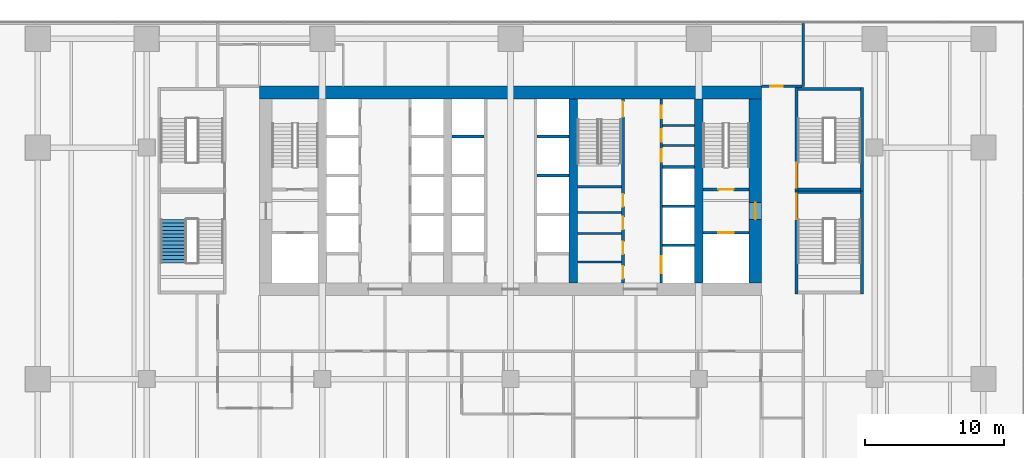
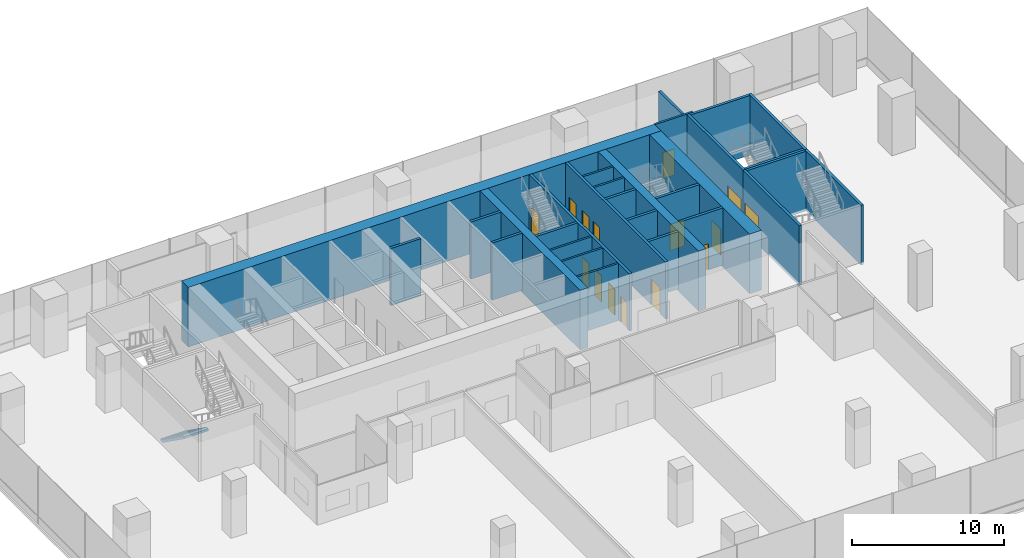
# One storey, part 21 of 28: 29 walls, 15 doors, 1 stair flight, 15 openings, 1 element without a shape of its own.
"""IFC4 building model written with IfcOpenShell, lengths in metres."""

from ifc_helpers import new_model, si_unit, direction, frame, frame_2d, origin, place, context, subcontext, project, spatial, polyline, rectangle, outline, extrude, material, layer, layer_set, type_object, element, fill, aggregate, save


model = new_model("IFC4")

# Units and contexts
model_context = context("Model", 3, precision=1e-05, world=origin(), true_north=direction((0.0, 1.0)))
body_context = subcontext(model_context, "Body", "Model", "MODEL_VIEW")
ifc_project = project(units=[si_unit("LENGTHUNIT", "METRE"), si_unit("AREAUNIT", "SQUARE_METRE"), si_unit("VOLUMEUNIT", "CUBIC_METRE"), si_unit("PLANEANGLEUNIT", "RADIAN"), si_unit("MASSUNIT", "GRAM", prefix="KILO")], contexts=[model_context])

# Site, building, storey
site_placement = place(None, origin())
site = spatial("IfcSite", under=ifc_project, at=site_placement, CompositionType="ELEMENT")
building_placement = place(site_placement, origin())
building = spatial("IfcBuilding", under=site, at=building_placement, Name="Rattan Terrace Tower", CompositionType="ELEMENT")
storey_placement = place(building_placement, frame((0.0, 0.0, 22.199951171875)))
storey = spatial("IfcBuildingStorey", under=building, at=storey_placement, Name="L04", CompositionType="ELEMENT", Elevation=22.199951171875)

# Walls
ifc_material_1 = material(Name="Gypsum board partition")
ifc_layer_1 = layer(ifc_material_1, 0.14990234375)
ifc_layer_set_1 = layer_set([ifc_layer_1], Name="Core partition 150")
wall_type_1 = type_object("IfcWallType", Name="Core partition 150", PredefinedType="PARTITIONING", material=ifc_layer_set_1)
for number, where, z_axis, x_axis, name in (
    (1, (4.800048828125, -5.10400390625, 0.0), (0.0, 0.0, 1.0), (1.0, 0.0, 0.0), "Toilet wall"),
    (2, (4.800048828125, -3.06396484375, 0.0), (0.0, 0.0, 1.0), (1.0, 0.0, 0.0), "Toilet wall"),
    (3, (4.800048828125, -1.568115234375, 0.0), (0.0, 0.0, 1.0), (1.0, 0.0, 0.0), "Toilet wall"),
):
    element("IfcWall", number, at=place(storey_placement, frame(where, z_axis=z_axis, x_axis=x_axis)), inside=storey, type_object=wall_type_1, Name=name, PredefinedType="PARTITIONING", context=body_context, shape_type="SweptSolid", body=[
        extrude(rectangle(XDim=3.14990234375, YDim=0.14990234375, at=frame_2d((1.574951171875, 0.0))), origin(), (0.0, 0.0, 1.0), 4.60009765625),
    ])
for number, where, z_axis, x_axis, name in (
    (4, (10.89990234375, 3.239990234375, 0.0), (0.0, 0.0, 1.0), (1.0, 0.0, 0.0), "Riser room wall"),
    (5, (10.89990234375, 4.679931640625, 0.0), (0.0, 0.0, 1.0), (1.0, 0.0, 0.0), "Riser room wall"),
):
    element("IfcWall", number, at=place(storey_placement, frame(where, z_axis=z_axis, x_axis=x_axis)), inside=storey, type_object=wall_type_1, Name=name, PredefinedType="PARTITIONING", context=body_context, shape_type="SweptSolid", body=[
        extrude(rectangle(XDim=2.300048828125, YDim=0.14990234375, at=frame_2d((1.14990234375, 0.0))), origin(), (0.0, 0.0, 1.0), 4.60009765625),
    ])

# Wall, opening, door
ifc_material_2 = material(Name="Gypsum board partition")
ifc_layer_2 = layer(ifc_material_2, 0.199951171875)
ifc_layer_set_2 = layer_set([ifc_layer_2], Name="Core partition 200")
wall_type_2 = type_object("IfcWallType", Name="Core partition 200", PredefinedType="PARTITIONING", material=ifc_layer_set_2)
wall_1_placement = place(storey_placement, frame((13.800048828125, -3.0, 0.0), z_axis=(0.0, 0.0, 1.0), x_axis=(1.0, 0.0, 0.0)))
wall_1 = element("IfcWall", 6, at=wall_1_placement, inside=storey, type_object=wall_type_2, Name="Fire-fighting lobby wall", PredefinedType="PARTITIONING", context=body_context, shape_type="SweptSolid", body=[
    extrude(rectangle(XDim=3.300048828125, YDim=0.199951171875, at=frame_2d((1.64990234375, 0.0))), origin(), (0.0, 0.0, 1.0), 4.60009765625),
])
opening_1_placement = place(wall_1_placement, frame((1.10009765625, 0.0, 0.0)))
opening_1 = element("IfcOpeningElement", 7, at=opening_1_placement, cuts=wall_1, Name="Opening L04-LD-FF2", PredefinedType="OPENING", context=body_context, shape_type="SweptSolid", body=[
    extrude(rectangle(XDim=1.10009765625, YDim=2.10009765625, at=frame_2d((0.550048828125, 1.050048828125))), frame((0.0, 0.110595703125, 0.0), z_axis=(0.0, -1.0, 0.0), x_axis=(1.0, 0.0, 0.0)), (0.0, 0.0, 1.0), 0.220947265625),
])
ifc_material_3 = material(Name="Brushed stainless landing door panel")
door_type_1 = type_object("IfcDoorType", Name="Core lift landing door 1100", OperationType="DOUBLE_DOOR_SLIDING", PredefinedType="DOOR", material=ifc_material_3)
door_1_placement = place(opening_1_placement, origin())
door_1 = element("IfcDoor", 8, at=door_1_placement, inside=storey, type_object=door_type_1, Name="Door L04-LD-FF2", OperationType="DOUBLE_DOOR_SLIDING", OverallHeight=2.10009765625, OverallWidth=1.10009765625, PredefinedType="DOOR", context=body_context, shape_type="SweptSolid", body=[
    extrude(rectangle(XDim=1.10009765625, YDim=2.10009765625, at=frame_2d((0.550048828125, 1.050048828125))), frame((0.0, 0.02490234375, 0.0), z_axis=(0.0, -1.0, 0.0), x_axis=(1.0, 0.0, 0.0)), (0.0, 0.0, 1.0), 0.050048828125),
])
fill(opening_1, door_1)

wall_2_placement = place(storey_placement, frame((13.800048828125, 0.10009765625, 0.0), z_axis=(0.0, 0.0, 1.0), x_axis=(1.0, 0.0, 0.0)))
wall_2 = element("IfcWall", 9, at=wall_2_placement, inside=storey, type_object=wall_type_2, Name="Stair enclosure wall", PredefinedType="PARTITIONING", context=body_context, shape_type="SweptSolid", body=[
    extrude(rectangle(XDim=3.300048828125, YDim=0.199951171875, at=frame_2d((1.64990234375, 0.0))), origin(), (0.0, 0.0, 1.0), 4.60009765625),
])
opening_2_placement = place(wall_2_placement, frame((1.10009765625, 0.0, 0.0)))
opening_2 = element("IfcOpeningElement", 10, at=opening_2_placement, cuts=wall_2, Name="Opening L04-D004", PredefinedType="OPENING", context=body_context, shape_type="SweptSolid", body=[
    extrude(rectangle(XDim=1.10009765625, YDim=2.10009765625, at=frame_2d((0.550048828125, 1.050048828125))), frame((0.0, 0.110595703125, 0.0), z_axis=(0.0, -1.0, 0.0), x_axis=(1.0, 0.0, 0.0)), (0.0, 0.0, 1.0), 0.220947265625),
])
ifc_material_4 = material(Name="Hollow-metal fire door leaf")
door_type_2 = type_object("IfcDoorType", Name="Core stair door 1100", OperationType="NOTDEFINED", PredefinedType="DOOR", material=ifc_material_4)
door_2_placement = place(opening_2_placement, origin())
door_2 = element("IfcDoor", 11, at=door_2_placement, inside=storey, type_object=door_type_2, Name="Door L04-D004", OperationType="SINGLE_SWING_LEFT", OverallHeight=2.10009765625, OverallWidth=1.10009765625, PredefinedType="DOOR", context=body_context, shape_type="SweptSolid", body=[
    extrude(rectangle(XDim=1.10009765625, YDim=2.10009765625, at=frame_2d((0.550048828125, 1.050048828125))), frame((0.0, 0.02490234375, 0.0), z_axis=(0.0, -1.0, 0.0), x_axis=(1.0, 0.0, 0.0)), (0.0, 0.0, 1.0), 0.050048828125),
])
fill(opening_2, door_2)

# Wall, openings, doors
wall_3_placement = place(storey_placement, frame((8.050048828125, -6.60009765625, 0.0), z_axis=(0.0, 0.0, 1.0), x_axis=(0.0, 1.0, 0.0)))
wall_3 = element("IfcWall", 12, at=wall_3_placement, inside=storey, type_object=wall_type_2, Name="Lobby wall west", PredefinedType="PARTITIONING", context=body_context, shape_type="SweptSolid", body=[
    extrude(rectangle(XDim=13.2001953125, YDim=0.199951171875, at=frame_2d((6.60009765625, 0.0))), origin(), (0.0, 0.0, 1.0), 4.60009765625),
])
opening_3_placement = place(wall_3_placement, frame((0.298095703125, 0.0, 0.0)))
opening_3 = element("IfcOpeningElement", 13, at=opening_3_placement, cuts=wall_3, Name="Opening L04-D011", PredefinedType="OPENING", context=body_context, shape_type="SweptSolid", body=[
    extrude(rectangle(XDim=0.89990234375, YDim=2.10009765625, at=frame_2d((0.449951171875, 1.050048828125))), frame((0.0, 0.110595703125, 0.0), z_axis=(0.0, -1.0, 0.0), x_axis=(1.0, 0.0, 0.0)), (0.0, 0.0, 1.0), 0.220947265625),
])
opening_4_placement = place(wall_3_placement, frame((2.06591796875, 0.0, 0.0)))
opening_4 = element("IfcOpeningElement", 14, at=opening_4_placement, cuts=wall_3, Name="Opening L04-D012", PredefinedType="OPENING", context=body_context, shape_type="SweptSolid", body=[
    extrude(rectangle(XDim=0.89990234375, YDim=2.10009765625, at=frame_2d((0.449951171875, 1.050048828125))), frame((0.0, 0.110595703125, 0.0), z_axis=(0.0, -1.0, 0.0), x_axis=(1.0, 0.0, 0.0)), (0.0, 0.0, 1.0), 0.220947265625),
])
opening_5_placement = place(wall_3_placement, frame((3.833984375, 0.0, 0.0)))
opening_5 = element("IfcOpeningElement", 15, at=opening_5_placement, cuts=wall_3, Name="Opening L04-D013", PredefinedType="OPENING", context=body_context, shape_type="SweptSolid", body=[
    extrude(rectangle(XDim=0.89990234375, YDim=2.10009765625, at=frame_2d((0.449951171875, 1.050048828125))), frame((0.0, 0.110595703125, 0.0), z_axis=(0.0, -1.0, 0.0), x_axis=(1.0, 0.0, 0.0)), (0.0, 0.0, 1.0), 0.220947265625),
])
opening_6_placement = place(wall_3_placement, frame((5.466064453125, 0.0, 0.0)))
opening_6 = element("IfcOpeningElement", 16, at=opening_6_placement, cuts=wall_3, Name="Opening L04-D014", PredefinedType="OPENING", context=body_context, shape_type="SweptSolid", body=[
    extrude(rectangle(XDim=0.89990234375, YDim=2.10009765625, at=frame_2d((0.449951171875, 1.050048828125))), frame((0.0, 0.110595703125, 0.0), z_axis=(0.0, -1.0, 0.0), x_axis=(1.0, 0.0, 0.0)), (0.0, 0.0, 1.0), 0.220947265625),
])
opening_7_placement = place(wall_3_placement, frame((11.89990234375, 0.0, 0.0)))
opening_7 = element("IfcOpeningElement", 17, at=opening_7_placement, cuts=wall_3, Name="Opening L04-D015", PredefinedType="OPENING", context=body_context, shape_type="SweptSolid", body=[
    extrude(rectangle(XDim=1.10009765625, YDim=2.10009765625, at=frame_2d((0.550048828125, 1.050048828125))), frame((0.0, 0.110595703125, 0.0), z_axis=(0.0, -1.0, 0.0), x_axis=(1.0, 0.0, 0.0)), (0.0, 0.0, 1.0), 0.220947265625),
])
ifc_material_5 = material(Name="Hollow-metal fire door leaf")
door_type_3 = type_object("IfcDoorType", Name="Core service room door 900", OperationType="NOTDEFINED", PredefinedType="DOOR", material=ifc_material_5)
door_3_placement = place(opening_6_placement, origin())
door_3 = element("IfcDoor", 18, at=door_3_placement, inside=storey, type_object=door_type_3, Name="Door L04-D014", OperationType="SINGLE_SWING_RIGHT", OverallHeight=2.10009765625, OverallWidth=0.89990234375, PredefinedType="DOOR", context=body_context, shape_type="SweptSolid", body=[
    extrude(rectangle(XDim=0.89990234375, YDim=2.10009765625, at=frame_2d((0.449951171875, 1.050048828125))), frame((0.0, 0.02490234375, 0.0), z_axis=(0.0, -1.0, 0.0), x_axis=(1.0, 0.0, 0.0)), (0.0, 0.0, 1.0), 0.050048828125),
])
fill(opening_6, door_3)
door_4_placement = place(opening_7_placement, origin())
door_4 = element("IfcDoor", 19, at=door_4_placement, inside=storey, type_object=door_type_2, Name="Door L04-D015", OperationType="SINGLE_SWING_LEFT", OverallHeight=2.10009765625, OverallWidth=1.10009765625, PredefinedType="DOOR", context=body_context, shape_type="SweptSolid", body=[
    extrude(rectangle(XDim=1.10009765625, YDim=2.10009765625, at=frame_2d((0.550048828125, 1.050048828125))), frame((0.0, 0.02490234375, 0.0), z_axis=(0.0, -1.0, 0.0), x_axis=(1.0, 0.0, 0.0)), (0.0, 0.0, 1.0), 0.050048828125),
])
fill(opening_7, door_4)
ifc_material_6 = material(Name="Hollow-metal fire door leaf")
door_type_4 = type_object("IfcDoorType", Name="Core toilet door 900", OperationType="NOTDEFINED", PredefinedType="DOOR", material=ifc_material_6)
door_5_placement = place(opening_3_placement, origin())
door_5 = element("IfcDoor", 20, at=door_5_placement, inside=storey, type_object=door_type_4, Name="Door L04-D011", OperationType="SINGLE_SWING_LEFT", OverallHeight=2.10009765625, OverallWidth=0.89990234375, PredefinedType="DOOR", context=body_context, shape_type="SweptSolid", body=[
    extrude(rectangle(XDim=0.89990234375, YDim=2.10009765625, at=frame_2d((0.449951171875, 1.050048828125))), frame((0.0, 0.02490234375, 0.0), z_axis=(0.0, -1.0, 0.0), x_axis=(1.0, 0.0, 0.0)), (0.0, 0.0, 1.0), 0.050048828125),
])
fill(opening_3, door_5)
door_6_placement = place(opening_4_placement, origin())
door_6 = element("IfcDoor", 21, at=door_6_placement, inside=storey, type_object=door_type_4, Name="Door L04-D012", OperationType="SINGLE_SWING_RIGHT", OverallHeight=2.10009765625, OverallWidth=0.89990234375, PredefinedType="DOOR", context=body_context, shape_type="SweptSolid", body=[
    extrude(rectangle(XDim=0.89990234375, YDim=2.10009765625, at=frame_2d((0.449951171875, 1.050048828125))), frame((0.0, 0.02490234375, 0.0), z_axis=(0.0, -1.0, 0.0), x_axis=(1.0, 0.0, 0.0)), (0.0, 0.0, 1.0), 0.050048828125),
])
fill(opening_4, door_6)
door_7_placement = place(opening_5_placement, origin())
door_7 = element("IfcDoor", 22, at=door_7_placement, inside=storey, type_object=door_type_4, Name="Door L04-D013", OperationType="SINGLE_SWING_LEFT", OverallHeight=2.10009765625, OverallWidth=0.89990234375, PredefinedType="DOOR", context=body_context, shape_type="SweptSolid", body=[
    extrude(rectangle(XDim=0.89990234375, YDim=2.10009765625, at=frame_2d((0.449951171875, 1.050048828125))), frame((0.0, 0.02490234375, 0.0), z_axis=(0.0, -1.0, 0.0), x_axis=(1.0, 0.0, 0.0)), (0.0, 0.0, 1.0), 0.050048828125),
])
fill(opening_5, door_7)

# Walls
wall_4_placement = place(storey_placement, frame((4.800048828125, 0.300048828125, 0.0), z_axis=(0.0, 0.0, 1.0), x_axis=(1.0, 0.0, 0.0)))
element("IfcWall", 23, at=wall_4_placement, inside=storey, type_object=wall_type_2, Name="Stair enclosure wall", PredefinedType="PARTITIONING", context=body_context, shape_type="SweptSolid", body=[
    extrude(rectangle(XDim=3.14990234375, YDim=0.199951171875, at=frame_2d((1.574951171875, 0.0))), origin(), (0.0, 0.0, 1.0), 4.60009765625),
])
ifc_material_7 = material(Name="Concrete C70/85", Category="concrete")
ifc_layer_3 = layer(ifc_material_7, 0.89990234375)
ifc_layer_set_3 = layer_set([ifc_layer_3], Name="Core ring wall 900 C70/85")
wall_type_3 = type_object("IfcWallType", Name="Core ring wall 900 C70/85", PredefinedType="SHEAR", material=ifc_layer_set_3)
wall_5_placement = place(storey_placement, frame((-18.0, 7.050048828125, -0.199951171875), z_axis=(0.0, 0.0, 1.0), x_axis=(1.0, 0.0, 0.0)))
element("IfcWall", 24, at=wall_5_placement, inside=storey, type_object=wall_type_3, Name="Rear core wall north", PredefinedType="SHEAR", context=body_context, shape_type="SweptSolid", body=[
    extrude(rectangle(XDim=36.0, YDim=0.89990234375, at=frame_2d((18.0, 0.0))), origin(), (0.0, 0.0, 1.0), 4.800048828125),
])

# Wall, opening, door
wall_6_placement = place(storey_placement, frame((17.550048828125, -6.60009765625, -0.199951171875), z_axis=(0.0, 0.0, 1.0), x_axis=(0.0, 1.0, 0.0)))
wall_6 = element("IfcWall", 25, at=wall_6_placement, inside=storey, type_object=wall_type_3, Name="Rear core wall east", PredefinedType="SHEAR", context=body_context, shape_type="SweptSolid", body=[
    extrude(rectangle(XDim=13.2001953125, YDim=0.89990234375, at=frame_2d((6.60009765625, 0.0))), origin(), (0.0, 0.0, 1.0), 4.800048828125),
])
opening_8_placement = place(wall_6_placement, frame((4.550048828125, 0.0, 0.199951171875)))
opening_8 = element("IfcOpeningElement", 26, at=opening_8_placement, cuts=wall_6, Name="Opening L04-D003", PredefinedType="OPENING", context=body_context, shape_type="SweptSolid", body=[
    extrude(rectangle(XDim=1.199951171875, YDim=2.10009765625, at=frame_2d((0.60009765625, 1.050048828125))), frame((0.0, 0.46044921875, 0.0), z_axis=(0.0, -1.0, 0.0), x_axis=(1.0, 0.0, 0.0)), (0.0, 0.0, 1.0), 0.9208984375),
])
ifc_material_8 = material(Name="Hollow-metal fire door leaf")
door_type_5 = type_object("IfcDoorType", Name="Core fire-fighting lobby door 1200", OperationType="NOTDEFINED", PredefinedType="DOOR", material=ifc_material_8)
door_8_placement = place(opening_8_placement, origin())
door_8 = element("IfcDoor", 27, at=door_8_placement, inside=storey, type_object=door_type_5, Name="Door L04-D003", OperationType="SINGLE_SWING_RIGHT", OverallHeight=2.10009765625, OverallWidth=1.199951171875, PredefinedType="DOOR", context=body_context, shape_type="SweptSolid", body=[
    extrude(rectangle(XDim=1.199951171875, YDim=2.10009765625, at=frame_2d((0.60009765625, 1.050048828125))), frame((0.0, 0.02490234375, 0.0), z_axis=(0.0, -1.0, 0.0), x_axis=(1.0, 0.0, 0.0)), (0.0, 0.0, 1.0), 0.050048828125),
])
fill(opening_8, door_8)

# Walls
ifc_material_9 = material(Name="Concrete C70/85", Category="concrete")
ifc_layer_4 = layer(ifc_material_9, 0.60009765625)
ifc_layer_set_4 = layer_set([ifc_layer_4], Name="Core spine wall 600 C70/85")
wall_type_4 = type_object("IfcWallType", Name="Core spine wall 600 C70/85", PredefinedType="SHEAR", material=ifc_layer_set_4)
for number, where, z_axis, x_axis, name in (
    (28, (4.5, -6.60009765625, -0.199951171875), (0.0, 0.0, 1.0), (0.0, 1.0, 0.0), "Core spine wall 3"),
    (29, (13.5, -6.60009765625, -0.199951171875), (0.0, 0.0, 1.0), (0.0, 1.0, 0.0), "Core spine wall 4"),
):
    element("IfcWall", number, at=place(storey_placement, frame(where, z_axis=z_axis, x_axis=x_axis)), inside=storey, type_object=wall_type_4, Name=name, PredefinedType="SHEAR", context=body_context, shape_type="SweptSolid", body=[
        extrude(rectangle(XDim=13.2001953125, YDim=0.60009765625, at=frame_2d((6.60009765625, 0.0))), origin(), (0.0, 0.0, 1.0), 4.800048828125),
    ])
ifc_material_10 = material(Name="Double steel stud acoustic partition, gypsum board, mineral wool, fire rated", Category="steel")
ifc_layer_5 = layer(ifc_material_10, 0.179931640625)
ifc_layer_set_5 = layer_set([ifc_layer_5], Name="Floors Acoustic Party Wall 180")
wall_type_5 = type_object("IfcWallType", Name="Floors Acoustic Party Wall 180", PredefinedType="PARTITIONING", material=ifc_layer_set_5)
wall_7_placement = place(storey_placement, frame((21.0, 7.47998046875, 0.0), z_axis=(0.0, 0.0, 1.0), x_axis=(0.0, 1.0, 0.0)))
element("IfcWall", 30, at=wall_7_placement, inside=storey, type_object=wall_type_5, Name="pt-L04-037", PredefinedType="PARTITIONING", context=body_context, shape_type="SweptSolid", body=[
    extrude(rectangle(XDim=4.510009765625, YDim=0.179931640625, at=frame_2d((2.2548828125, 0.0))), origin(), (0.0, 0.0, 1.0), 3.5),
])

# Wall, opening, door
ifc_material_11 = material(Name="Gypsum board partition on steel studs, fire rated", Category="steel")
ifc_layer_6 = layer(ifc_material_11, 0.14990234375)
ifc_layer_set_6 = layer_set([ifc_layer_6], Name="Floors Tenancy Wall 150")
wall_type_6 = type_object("IfcWallType", Name="Floors Tenancy Wall 150", PredefinedType="PARTITIONING", material=ifc_layer_set_6)
wall_8_placement = place(storey_placement, frame((18.0, 7.4990234375, 0.0), z_axis=(0.0, 0.0, 1.0), x_axis=(1.0, 0.0, 0.0)))
wall_8 = element("IfcWall", 31, at=wall_8_placement, inside=storey, type_object=wall_type_6, Name="pt-L04-011", PredefinedType="PARTITIONING", context=body_context, shape_type="SweptSolid", body=[
    extrude(rectangle(XDim=2.909912109375, YDim=0.14990234375, at=frame_2d((1.455078125, 0.0))), origin(), (0.0, 0.0, 1.0), 4.60009765625),
])
opening_9_placement = place(wall_8_placement, frame((0.6279296875, 0.0, 0.0)))
opening_9 = element("IfcOpeningElement", 32, at=opening_9_placement, cuts=wall_8, Name="Opening L04-D109", PredefinedType="OPENING", context=body_context, shape_type="SweptSolid", body=[
    extrude(rectangle(XDim=0.89990234375, YDim=2.10009765625, at=frame_2d((0.449951171875, 1.050048828125))), frame((0.0, 0.08544921875, 0.0), z_axis=(0.0, -1.0, 0.0), x_axis=(1.0, 0.0, 0.0)), (0.0, 0.0, 1.0), 0.1708984375),
])
ifc_material_12 = material(Name="Steel fire door set", Category="steel")
door_type_6 = type_object("IfcDoorType", Name="Floors Fire Door FD30S 900x2100", OperationType="NOTDEFINED", PredefinedType="DOOR", material=ifc_material_12)
door_9_placement = place(opening_9_placement, origin())
door_9 = element("IfcDoor", 33, at=door_9_placement, inside=storey, type_object=door_type_6, Name="d-L04-109", OperationType="SINGLE_SWING_LEFT", OverallHeight=2.10009765625, OverallWidth=0.89990234375, PredefinedType="DOOR", context=body_context, shape_type="SweptSolid", body=[
    extrude(rectangle(XDim=0.89990234375, YDim=2.10009765625, at=frame_2d((0.449951171875, 1.050048828125))), frame((0.0, 0.02490234375, 0.0), z_axis=(0.0, -1.0, 0.0), x_axis=(1.0, 0.0, 0.0)), (0.0, 0.0, 1.0), 0.050048828125),
])
fill(opening_9, door_9)

# Walls
ifc_material_13 = material(Name="Gypsum shaft wall system")
ifc_layer_7 = layer(ifc_material_13, 0.199951171875)
ifc_layer_set_7 = layer_set([ifc_layer_7], Name="Lift shaft wall 200")
wall_type_7 = type_object("IfcWallType", Name="Lift shaft wall 200", PredefinedType="PARTITIONING", material=ifc_layer_set_7)
for number, where, z_axis, x_axis, name in (
    (34, (-4.199951171875, 3.89990234375, 0.0), (0.0, 0.0, 1.0), (1.0, 0.0, 0.0), "Lift shaft wall"),
    (35, (1.89990234375, 1.10009765625, 0.0), (0.0, 0.0, 1.0), (1.0, 0.0, 0.0), "Lift shaft wall"),
    (36, (1.89990234375, 3.89990234375, 0.0), (0.0, 0.0, 1.0), (1.0, 0.0, 0.0), "Lift shaft wall"),
):
    element("IfcWall", number, at=place(storey_placement, frame(where, z_axis=z_axis, x_axis=x_axis)), inside=storey, type_object=wall_type_7, Name=name, PredefinedType="PARTITIONING", context=body_context, shape_type="SweptSolid", body=[
        extrude(rectangle(XDim=2.300048828125, YDim=0.199951171875, at=frame_2d((1.14990234375, 0.0))), origin(), (0.0, 0.0, 1.0), 4.60009765625),
    ])

# Wall, openings, doors
wall_9_placement = place(storey_placement, frame((10.800048828125, -6.60009765625, 0.0), z_axis=(0.0, 0.0, 1.0), x_axis=(0.0, 1.0, 0.0)))
wall_9 = element("IfcWall", 37, at=wall_9_placement, inside=storey, type_object=wall_type_7, Name="Lift shaft front wall", PredefinedType="PARTITIONING", context=body_context, shape_type="SweptSolid", body=[
    extrude(rectangle(XDim=13.2001953125, YDim=0.199951171875, at=frame_2d((6.60009765625, 0.0))), origin(), (0.0, 0.0, 1.0), 4.60009765625),
])
opening_10_placement = place(wall_9_placement, frame((0.699951171875, 0.0, 0.0)))
opening_10 = element("IfcOpeningElement", 38, at=opening_10_placement, cuts=wall_9, Name="Opening L04-LD-SV1", PredefinedType="OPENING", context=body_context, shape_type="SweptSolid", body=[
    extrude(rectangle(XDim=1.199951171875, YDim=2.10009765625, at=frame_2d((0.60009765625, 1.050048828125))), frame((0.0, 0.110595703125, 0.0), z_axis=(0.0, -1.0, 0.0), x_axis=(1.0, 0.0, 0.0)), (0.0, 0.0, 1.0), 0.220947265625),
])
opening_11_placement = place(wall_9_placement, frame((8.669921875, 0.0, 0.0)))
opening_11 = element("IfcOpeningElement", 39, at=opening_11_placement, cuts=wall_9, Name="Opening L04-D017", PredefinedType="OPENING", context=body_context, shape_type="SweptSolid", body=[
    extrude(rectangle(XDim=0.89990234375, YDim=2.10009765625, at=frame_2d((0.449951171875, 1.050048828125))), frame((0.0, 0.110595703125, 0.0), z_axis=(0.0, -1.0, 0.0), x_axis=(1.0, 0.0, 0.0)), (0.0, 0.0, 1.0), 0.220947265625),
])
opening_12_placement = place(wall_9_placement, frame((10.110107421875, 0.0, 0.0)))
opening_12 = element("IfcOpeningElement", 40, at=opening_12_placement, cuts=wall_9, Name="Opening L04-D018", PredefinedType="OPENING", context=body_context, shape_type="SweptSolid", body=[
    extrude(rectangle(XDim=0.89990234375, YDim=2.10009765625, at=frame_2d((0.449951171875, 1.050048828125))), frame((0.0, 0.110595703125, 0.0), z_axis=(0.0, -1.0, 0.0), x_axis=(1.0, 0.0, 0.0)), (0.0, 0.0, 1.0), 0.220947265625),
])
opening_13_placement = place(wall_9_placement, frame((11.7900390625, 0.0, 0.0)))
opening_13 = element("IfcOpeningElement", 41, at=opening_13_placement, cuts=wall_9, Name="Opening L04-D019", PredefinedType="OPENING", context=body_context, shape_type="SweptSolid", body=[
    extrude(rectangle(XDim=0.89990234375, YDim=2.10009765625, at=frame_2d((0.449951171875, 1.050048828125))), frame((0.0, 0.110595703125, 0.0), z_axis=(0.0, -1.0, 0.0), x_axis=(1.0, 0.0, 0.0)), (0.0, 0.0, 1.0), 0.220947265625),
])
ifc_material_14 = material(Name="Brushed stainless landing door panel")
door_type_7 = type_object("IfcDoorType", Name="Core lift landing door 1200", OperationType="DOUBLE_DOOR_SLIDING", PredefinedType="DOOR", material=ifc_material_14)
door_10_placement = place(opening_10_placement, origin())
door_10 = element("IfcDoor", 42, at=door_10_placement, inside=storey, type_object=door_type_7, Name="Door L04-LD-SV1", OperationType="DOUBLE_DOOR_SLIDING", OverallHeight=2.10009765625, OverallWidth=1.199951171875, PredefinedType="DOOR", context=body_context, shape_type="SweptSolid", body=[
    extrude(rectangle(XDim=1.199951171875, YDim=2.10009765625, at=frame_2d((0.60009765625, 1.050048828125))), frame((0.0, 0.02490234375, 0.0), z_axis=(0.0, -1.0, 0.0), x_axis=(1.0, 0.0, 0.0)), (0.0, 0.0, 1.0), 0.050048828125),
])
fill(opening_10, door_10)
ifc_material_15 = material(Name="Hollow-metal fire door leaf")
door_type_8 = type_object("IfcDoorType", Name="Core riser door 900", OperationType="NOTDEFINED", PredefinedType="DOOR", material=ifc_material_15)
door_11_placement = place(opening_11_placement, origin())
door_11 = element("IfcDoor", 43, at=door_11_placement, inside=storey, type_object=door_type_8, Name="Door L04-D017", OperationType="SINGLE_SWING_RIGHT", OverallHeight=2.10009765625, OverallWidth=0.89990234375, PredefinedType="DOOR", context=body_context, shape_type="SweptSolid", body=[
    extrude(rectangle(XDim=0.89990234375, YDim=2.10009765625, at=frame_2d((0.449951171875, 1.050048828125))), frame((0.0, 0.02490234375, 0.0), z_axis=(0.0, -1.0, 0.0), x_axis=(1.0, 0.0, 0.0)), (0.0, 0.0, 1.0), 0.050048828125),
])
fill(opening_11, door_11)
door_12_placement = place(opening_12_placement, origin())
door_12 = element("IfcDoor", 44, at=door_12_placement, inside=storey, type_object=door_type_8, Name="Door L04-D018", OperationType="SINGLE_SWING_LEFT", OverallHeight=2.10009765625, OverallWidth=0.89990234375, PredefinedType="DOOR", context=body_context, shape_type="SweptSolid", body=[
    extrude(rectangle(XDim=0.89990234375, YDim=2.10009765625, at=frame_2d((0.449951171875, 1.050048828125))), frame((0.0, 0.02490234375, 0.0), z_axis=(0.0, -1.0, 0.0), x_axis=(1.0, 0.0, 0.0)), (0.0, 0.0, 1.0), 0.050048828125),
])
fill(opening_12, door_12)
door_13_placement = place(opening_13_placement, origin())
door_13 = element("IfcDoor", 45, at=door_13_placement, inside=storey, type_object=door_type_3, Name="Door L04-D019", OperationType="SINGLE_SWING_RIGHT", OverallHeight=2.10009765625, OverallWidth=0.89990234375, PredefinedType="DOOR", context=body_context, shape_type="SweptSolid", body=[
    extrude(rectangle(XDim=0.89990234375, YDim=2.10009765625, at=frame_2d((0.449951171875, 1.050048828125))), frame((0.0, 0.02490234375, 0.0), z_axis=(0.0, -1.0, 0.0), x_axis=(1.0, 0.0, 0.0)), (0.0, 0.0, 1.0), 0.050048828125),
])
fill(opening_13, door_13)

# Walls
for number, where, z_axis, x_axis, name in (
    (46, (10.89990234375, -3.89990234375, 0.0), (0.0, 0.0, 1.0), (1.0, 0.0, 0.0), "Lift shaft wall"),
    (47, (10.89990234375, -1.10009765625, 0.0), (0.0, 0.0, 1.0), (1.0, 0.0, 0.0), "Lift shaft wall"),
    (48, (10.89990234375, 1.699951171875, 0.0), (0.0, 0.0, 1.0), (1.0, 0.0, 0.0), "Lift shaft wall"),
):
    element("IfcWall", number, at=place(storey_placement, frame(where, z_axis=z_axis, x_axis=x_axis)), inside=storey, type_object=wall_type_7, Name=name, PredefinedType="PARTITIONING", context=body_context, shape_type="SweptSolid", body=[
        extrude(rectangle(XDim=2.300048828125, YDim=0.199951171875, at=frame_2d((1.14990234375, 0.0))), origin(), (0.0, 0.0, 1.0), 4.60009765625),
    ])

# Wall, opening, door
ifc_material_16 = material(Name="Concrete C40/50", Category="concrete")
ifc_layer_8 = layer(ifc_material_16, 0.199951171875)
ifc_layer_set_8 = layer_set([ifc_layer_8], Name="Podium exit stair shaft wall 200")
wall_type_8 = type_object("IfcWallType", Name="Podium exit stair shaft wall 200", PredefinedType="SHEAR", material=ifc_layer_set_8)
wall_10_placement = place(storey_placement, frame((20.5, -7.39990234375, -0.199951171875), z_axis=(0.0, 0.0, 1.0), x_axis=(0.0, 1.0, 0.0)))
wall_10 = element("IfcWall", 49, at=wall_10_placement, inside=storey, type_object=wall_type_8, Name="L04 stair S6 shaft wall", PredefinedType="SHEAR", context=body_context, shape_type="SweptSolid", body=[
    extrude(rectangle(XDim=7.39990234375, YDim=0.199951171875, at=frame_2d((3.699951171875, 0.0))), origin(), (0.0, 0.0, 1.0), 4.800048828125),
])
opening_14_placement = place(wall_10_placement, frame((5.375, 0.0, 0.199951171875)))
opening_14 = element("IfcOpeningElement", 50, at=opening_14_placement, cuts=wall_10, Name="Opening L04-D903", PredefinedType="OPENING", context=body_context, shape_type="SweptSolid", body=[
    extrude(rectangle(XDim=1.800048828125, YDim=2.10009765625, at=frame_2d((0.89990234375, 1.050048828125))), frame((0.0, 0.110595703125, 0.0), z_axis=(0.0, -1.0, 0.0), x_axis=(1.0, 0.0, 0.0)), (0.0, 0.0, 1.0), 0.220947265625),
])
ifc_material_17 = material(Name="Hollow-metal fire door leaf")
door_type_9 = type_object("IfcDoorType", Name="Podium exit stair door pair 1800", OperationType="DOUBLE_DOOR_SINGLE_SWING", PredefinedType="DOOR", material=ifc_material_17)
door_14_placement = place(opening_14_placement, origin())
door_14 = element("IfcDoor", 51, at=door_14_placement, inside=storey, type_object=door_type_9, Name="Door L04-D903", OperationType="DOUBLE_DOOR_SINGLE_SWING", OverallHeight=2.10009765625, OverallWidth=1.800048828125, PredefinedType="DOOR", context=body_context, shape_type="SweptSolid", body=[
    extrude(rectangle(XDim=1.800048828125, YDim=2.10009765625, at=frame_2d((0.89990234375, 1.050048828125))), frame((0.0, 0.02490234375, 0.0), z_axis=(0.0, -1.0, 0.0), x_axis=(1.0, 0.0, 0.0)), (0.0, 0.0, 1.0), 0.050048828125),
])
fill(opening_14, door_14)

# Walls
wall_11_placement = place(storey_placement, frame((25.199951171875, -7.39990234375, -0.199951171875), z_axis=(0.0, 0.0, 1.0), x_axis=(0.0, 1.0, 0.0)))
element("IfcWall", 52, at=wall_11_placement, inside=storey, type_object=wall_type_8, Name="L04 stair S6 shaft wall", PredefinedType="SHEAR", context=body_context, shape_type="SweptSolid", body=[
    extrude(rectangle(XDim=7.39990234375, YDim=0.199951171875, at=frame_2d((3.699951171875, 0.0))), origin(), (0.0, 0.0, 1.0), 4.800048828125),
])
wall_12_placement = place(storey_placement, frame((20.60009765625, -0.10009765625, -0.199951171875), z_axis=(0.0, 0.0, 1.0), x_axis=(1.0, 0.0, 0.0)))
element("IfcWall", 53, at=wall_12_placement, inside=storey, type_object=wall_type_8, Name="L04 stair S6 shaft wall", PredefinedType="SHEAR", context=body_context, shape_type="SweptSolid", body=[
    extrude(rectangle(XDim=4.5, YDim=0.199951171875, at=frame_2d((2.25, 0.0))), origin(), (0.0, 0.0, 1.0), 4.800048828125),
])

# Wall, opening, door
wall_13_placement = place(storey_placement, frame((20.5, 0.0, -0.199951171875), z_axis=(0.0, 0.0, 1.0), x_axis=(0.0, 1.0, 0.0)))
wall_13 = element("IfcWall", 54, at=wall_13_placement, inside=storey, type_object=wall_type_8, Name="L04 stair S7 shaft wall", PredefinedType="SHEAR", context=body_context, shape_type="SweptSolid", body=[
    extrude(rectangle(XDim=7.39990234375, YDim=0.199951171875, at=frame_2d((3.699951171875, 0.0))), origin(), (0.0, 0.0, 1.0), 4.800048828125),
])
opening_15_placement = place(wall_13_placement, frame((0.22509765625, 0.0, 0.199951171875)))
opening_15 = element("IfcOpeningElement", 55, at=opening_15_placement, cuts=wall_13, Name="Opening L04-D904", PredefinedType="OPENING", context=body_context, shape_type="SweptSolid", body=[
    extrude(rectangle(XDim=1.800048828125, YDim=2.10009765625, at=frame_2d((0.89990234375, 1.050048828125))), frame((0.0, 0.110595703125, 0.0), z_axis=(0.0, -1.0, 0.0), x_axis=(1.0, 0.0, 0.0)), (0.0, 0.0, 1.0), 0.220947265625),
])
door_15_placement = place(opening_15_placement, origin())
door_15 = element("IfcDoor", 56, at=door_15_placement, inside=storey, type_object=door_type_9, Name="Door L04-D904", OperationType="DOUBLE_DOOR_SINGLE_SWING", OverallHeight=2.10009765625, OverallWidth=1.800048828125, PredefinedType="DOOR", context=body_context, shape_type="SweptSolid", body=[
    extrude(rectangle(XDim=1.800048828125, YDim=2.10009765625, at=frame_2d((0.89990234375, 1.050048828125))), frame((0.0, 0.02490234375, 0.0), z_axis=(0.0, -1.0, 0.0), x_axis=(1.0, 0.0, 0.0)), (0.0, 0.0, 1.0), 0.050048828125),
])
fill(opening_15, door_15)

# Walls
wall_14_placement = place(storey_placement, frame((25.199951171875, 0.0, -0.199951171875), z_axis=(0.0, 0.0, 1.0), x_axis=(0.0, 1.0, 0.0)))
element("IfcWall", 57, at=wall_14_placement, inside=storey, type_object=wall_type_8, Name="L04 stair S7 shaft wall", PredefinedType="SHEAR", context=body_context, shape_type="SweptSolid", body=[
    extrude(rectangle(XDim=7.39990234375, YDim=0.199951171875, at=frame_2d((3.699951171875, 0.0))), origin(), (0.0, 0.0, 1.0), 4.800048828125),
])
for number, where, z_axis, x_axis, name in (
    (58, (20.60009765625, 7.300048828125, -0.199951171875), (0.0, 0.0, 1.0), (1.0, 0.0, 0.0), "L04 stair S7 shaft wall"),
    (59, (20.60009765625, 0.10009765625, -0.199951171875), (0.0, 0.0, 1.0), (1.0, 0.0, 0.0), "L04 stair S7 shaft wall"),
):
    element("IfcWall", number, at=place(storey_placement, frame(where, z_axis=z_axis, x_axis=x_axis)), inside=storey, type_object=wall_type_8, Name=name, PredefinedType="SHEAR", context=body_context, shape_type="SweptSolid", body=[
        extrude(rectangle(XDim=4.5, YDim=0.199951171875, at=frame_2d((2.25, 0.0))), origin(), (0.0, 0.0, 1.0), 4.800048828125),
    ])

# Stair, stair flight
ifc_material_18 = material(Name="Concrete C40/50", Category="concrete")
stair_type = type_object("IfcStairType", Name="Core exit stair 1850", PredefinedType="HALF_TURN_STAIR", material=ifc_material_18)
stair_placement = place(storey_placement, origin())
stair = element("IfcStair", 60, at=stair_placement, inside=storey, type_object=stair_type, Name="L04 exit stair 4", PredefinedType="HALF_TURN_STAIR")
ifc_material_19 = material(Name="Concrete C40/50", Category="concrete")
stair_flight_type = type_object("IfcStairFlightType", Name="Core exit stair flight 1850", PredefinedType="STRAIGHT", material=ifc_material_19)
stair_flight_placement = place(storey_placement, frame((-24.175048828125, -2.050048828125, 0.0), z_axis=(0.0, 0.0, 1.0), x_axis=(0.0, -1.0, 0.0)))
stair_flight = element("IfcStairFlight", 61, at=stair_flight_placement, type_object=stair_flight_type, Name="S4 flight 1", NumberOfRisers=13, NumberOfTreads=12, PredefinedType="STRAIGHT", RiserHeight=0.184615385, TreadLength=0.26, context=body_context, shape_type="SweptSolid", body=[
    extrude(outline(polyline([(0.0, 0.0), (0.0, 0.1845703125), (0.260009765625, 0.1845703125), (0.260009765625, 0.369140625), (0.52001953125, 0.369140625), (0.52001953125, 0.553955078125), (0.780029296875, 0.553955078125), (0.780029296875, 0.738525390625), (1.0400390625, 0.738525390625), (1.0400390625, 0.923095703125), (1.300048828125, 0.923095703125), (1.300048828125, 1.107666015625), (1.56005859375, 1.107666015625), (1.56005859375, 1.292236328125), (1.820068359375, 1.292236328125), (1.820068359375, 1.476806640625), (2.080078125, 1.476806640625), (2.080078125, 1.66162109375), (2.340087890625, 1.66162109375), (2.340087890625, 1.84619140625), (2.60009765625, 1.84619140625), (2.60009765625, 2.03076171875), (2.860107421875, 2.03076171875), (2.860107421875, 2.21533203125), (3.1201171875, 2.21533203125), (3.1201171875, 2.39990234375), (3.1201171875, 2.031494140625), (0.259033203125, 0.0), (0.0, 0.0)])), frame((0.0, 0.925048828125, 0.0), z_axis=(0.0, -1.0, 0.0), x_axis=(1.0, 0.0, 0.0)), (0.0, 0.0, 1.0), 1.85009765625),
])
aggregate(stair, [stair_flight])

save(model, "model.ifc")
